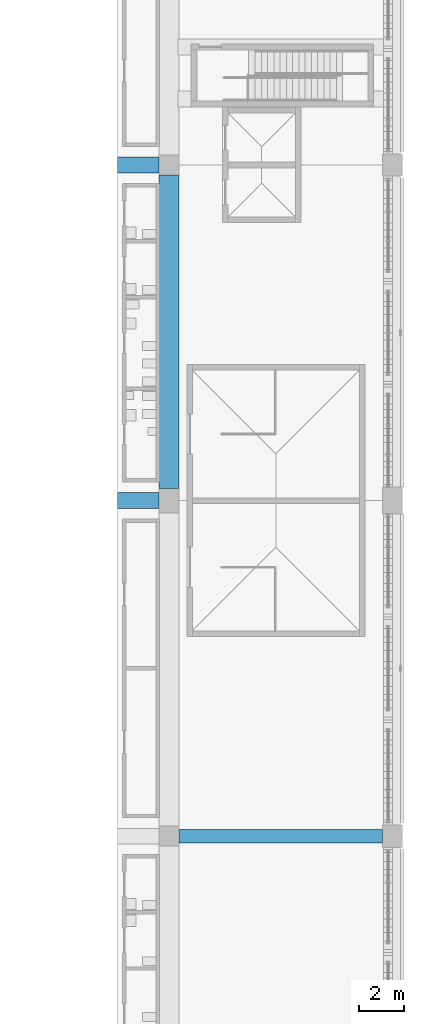
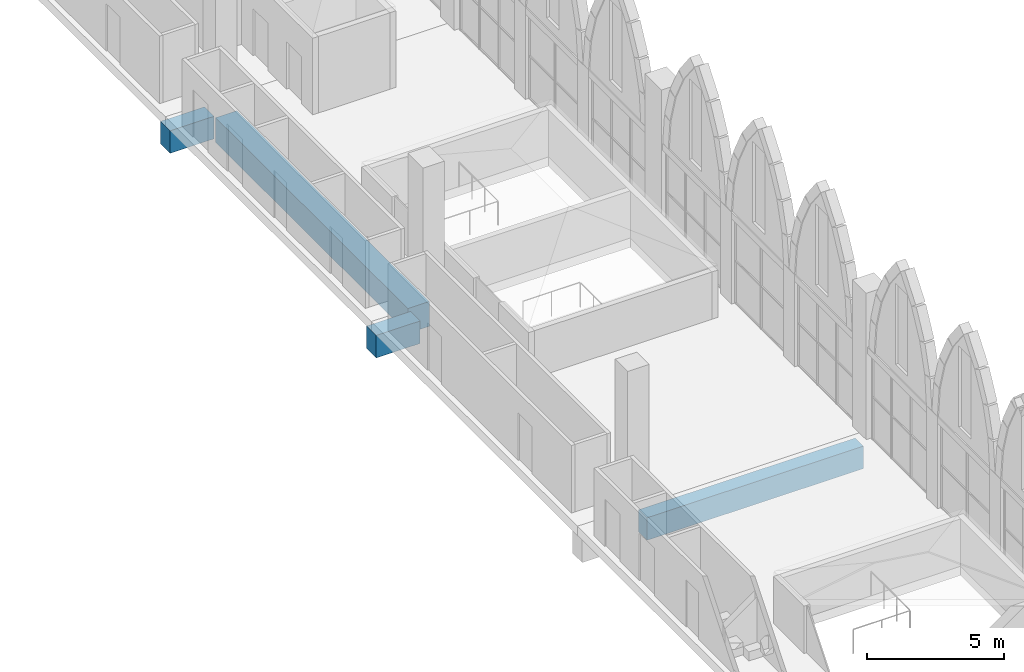
# One storey, part 23 of 130: 4 beams.
"""IFC4 building model written with IfcOpenShell, lengths in metres."""

import ifcopenshell
import ifcopenshell.guid

model = None  # the IFC model being written
_history = None  # IfcOwnerHistory: only IFC2X3 demands one
_inside = {}  # id of a spatial element -> (the spatial element, [elements in it])
_under = {}  # id of a project, library or spatial element -> (it, [spatial elements below it])
_declared = {}  # id of a project -> (the project, [libraries it declares])
_typed = {}  # id of a type object -> (the type object, [elements of that type])
_made_of = {}  # id of a material, layer set ... -> (it, [elements and type objects made of it])


def new_model(schema):
    """Start an empty IFC model of exactly this schema.

    Asked for "IFC4X3", IfcOpenShell would pick the latest addendum, in which some entities
    have other attributes; the version numbers below select the first issue.
    IFC2X3 requires an IfcOwnerHistory on every rooted entity: one is made here for all.
    """
    global model, _history
    if schema == "IFC4X3":
        model = ifcopenshell.file(schema_version=(4, 3, 0, 0))
    else:
        model = ifcopenshell.file(schema=schema)
    _inside.clear()
    _under.clear()
    _declared.clear()
    _typed.clear()
    _made_of.clear()
    _history = None
    if model.schema == "IFC2X3":
        org = make("IfcOrganization", Name="unknown")
        user = make(
            "IfcPersonAndOrganization",
            ThePerson=make("IfcPerson", FamilyName="unknown"),
            TheOrganization=org,
        )
        app = make(
            "IfcApplication",
            ApplicationDeveloper=org,
            Version="unknown",
            ApplicationFullName="unknown",
            ApplicationIdentifier="unknown",
        )
        _history = make(
            "IfcOwnerHistory",
            OwningUser=user,
            OwningApplication=app,
            ChangeAction="ADDED",
            CreationDate=0,
        )
    return model


def make(cls, **values):
    """One entity of the class cls with the attributes given. An attribute that is None is left unset."""
    return model.create_entity(
        cls, **{name: value for name, value in values.items() if value is not None}
    )


def rooted(cls, **values):
    """An entity with a GlobalId (a new one), such as an element, a storey or a relation."""
    return make(cls, GlobalId=ifcopenshell.guid.new(), OwnerHistory=_history, **values)


def si_unit(unit_type, name, prefix=None):
    """IfcSIUnit, for example si_unit("LENGTHUNIT", "METRE", prefix="MILLI")."""
    return make("IfcSIUnit", UnitType=unit_type, Prefix=prefix, Name=name)


def assignment(units):
    """IfcUnitAssignment: the units of a project."""
    return None if units is None else make("IfcUnitAssignment", Units=units)


def point(xyz):
    """IfcCartesianPoint."""
    return None if xyz is None else make("IfcCartesianPoint", Coordinates=xyz)


def direction(xyz):
    """IfcDirection."""
    return None if xyz is None else make("IfcDirection", DirectionRatios=xyz)


def frame(location, z_axis=None, x_axis=None):
    """IfcAxis2Placement3D, a coordinate frame: its origin and axes. An axis left out is left unset."""
    return make(
        "IfcAxis2Placement3D",
        Location=point(location),
        Axis=direction(z_axis),
        RefDirection=direction(x_axis),
    )


def frame_2d(location, x_axis=None):
    """IfcAxis2Placement2D, a coordinate frame in the plane: its origin and x axis."""
    return make(
        "IfcAxis2Placement2D", Location=point(location), RefDirection=direction(x_axis)
    )


def origin():
    """The frame at (0, 0, 0) with its axes left unset."""
    return frame((0.0, 0.0, 0.0))


def origin_2d():
    """The frame at (0, 0) in the plane with its x axis left unset."""
    return frame_2d((0.0, 0.0))


def place(relative_to, where):
    """IfcLocalPlacement: puts the frame where relative to a parent placement (None: the world)."""
    return make(
        "IfcLocalPlacement", PlacementRelTo=relative_to, RelativePlacement=where
    )


def context(
    kind, dimensions, precision=None, world=None, true_north=None, identifier=None
):
    """IfcGeometricRepresentationContext, for example the 3D "Model" context."""
    return make(
        "IfcGeometricRepresentationContext",
        ContextIdentifier=identifier,
        ContextType=kind,
        CoordinateSpaceDimension=dimensions,
        Precision=precision,
        WorldCoordinateSystem=world,
        TrueNorth=true_north,
    )


def subcontext(parent, identifier, kind, view, scale=None):
    """IfcGeometricRepresentationSubContext, for example "Body" below "Model"."""
    return make(
        "IfcGeometricRepresentationSubContext",
        ContextIdentifier=identifier,
        ContextType=kind,
        ParentContext=parent,
        TargetScale=scale,
        TargetView=view,
    )


def project(units=None, contexts=None):
    """IfcProject with its units and contexts."""
    return rooted(
        "IfcProject",
        Name="project",
        RepresentationContexts=contexts,
        UnitsInContext=assignment(units),
    )


def spatial(cls, under=None, at=None, **own):
    """A site, building, storey or space (cls), placed at a placement, below another one or the project."""
    s = rooted(cls, ObjectPlacement=at, **own)
    if under is not None:
        _under.setdefault(under.id(), (under, []))[1].append(s)
    return s


def profile(cls, at=None, kind="AREA", **sizes):
    """A parametric profile (cls). Its sizes go by their IFC names, for example OverallWidth=200.0."""
    return make(cls, ProfileType=kind, Position=at, **sizes)


def rectangle(**sizes):
    """IfcRectangleProfileDef."""
    return profile("IfcRectangleProfileDef", **sizes)


def extrude(swept, where, along, depth):
    """IfcExtrudedAreaSolid: the profile swept, set in the frame where, extruded along a direction by depth."""
    return make(
        "IfcExtrudedAreaSolid",
        SweptArea=swept,
        Position=where,
        ExtrudedDirection=direction(along),
        Depth=depth,
    )


def shape(context_of_items, identifier, shape_type, items):
    """IfcShapeRepresentation: the items that make up one representation, for example the "Body"."""
    return make(
        "IfcShapeRepresentation",
        ContextOfItems=context_of_items,
        RepresentationIdentifier=identifier,
        RepresentationType=shape_type,
        Items=items,
    )


def material(Name=None, Category=None):
    """IfcMaterial."""
    return make("IfcMaterial", Name=Name, Category=Category)


def material_profile(
    of_material, cross_section, Name=None, Category=None, Priority=None
):
    """IfcMaterialProfile: a cross section and its material."""
    return make(
        "IfcMaterialProfile",
        Name=Name,
        Material=of_material,
        Profile=cross_section,
        Priority=Priority,
        Category=Category,
    )


def profile_set(profiles, Name=None, composite=None):
    """IfcMaterialProfileSet."""
    return make(
        "IfcMaterialProfileSet",
        Name=Name,
        MaterialProfiles=profiles,
        CompositeProfile=composite,
    )


def made_of(thing, what):
    """Note that an element or type object is made of a material, layer set ...; save() writes the relation."""
    if what is not None:
        _made_of.setdefault(what.id(), (what, []))[1].append(thing)
    return thing


def type_object(cls, material=None, **own):
    """A type object (cls), such as IfcWallType, which elements share."""
    return made_of(rooted(cls, **own), material)


def element(
    cls,
    number,
    at=None,
    inside=None,
    cuts=None,
    type_object=None,
    material=None,
    context=None,
    identifier="Body",
    shape_type=None,
    held_by="IfcProductDefinitionShape",
    body=None,
    shapes=None,
    **own,
):
    """One element of the class cls, such as IfcWall. Its Tag is "e" and its number.

    at: its placement. inside: the storey or other place that contains it. cuts: it is an
    opening in that element (IfcRelVoidsElement). A single representation is given by context,
    identifier, shape_type and body (its items); several are given by shapes. held_by: the class
    of the entity that holds the representations. save() writes the other relations.
    """
    e = rooted(cls, Tag="e%d" % number, ObjectPlacement=at, **own)
    if body is not None:
        shapes = [shape(context, identifier, shape_type, body)]
    if shapes is not None:
        e.Representation = make(held_by, Representations=shapes)
    if inside is not None:
        _inside.setdefault(inside.id(), (inside, []))[1].append(e)
    if cuts is not None:
        rooted(
            "IfcRelVoidsElement", RelatingBuildingElement=cuts, RelatedOpeningElement=e
        )
    if type_object is not None:
        _typed.setdefault(type_object.id(), (type_object, []))[1].append(e)
    return made_of(e, material)


def aggregate(whole, parts):
    """IfcRelAggregates: a whole, such as a stair, and the parts it consists of."""
    return rooted("IfcRelAggregates", RelatingObject=whole, RelatedObjects=parts)


def save(model, path):
    """Write the relations noted so far, then the file.

    IfcRelAggregates (storeys below a building ...), IfcRelContainedInSpatialStructure (elements
    in a storey), IfcRelDefinesByType, IfcRelAssociatesMaterial and IfcRelDeclares: one each for
    every whole, place, type object, material and project.
    """
    for whole, parts in _under.values():
        aggregate(whole, parts)
    for where, things in _inside.values():
        rooted(
            "IfcRelContainedInSpatialStructure",
            RelatedElements=things,
            RelatingStructure=where,
        )
    for kind, things in _typed.values():
        rooted("IfcRelDefinesByType", RelatedObjects=things, RelatingType=kind)
    for what, things in _made_of.values():
        rooted("IfcRelAssociatesMaterial", RelatedObjects=things, RelatingMaterial=what)
    for by, libraries in _declared.values():
        rooted("IfcRelDeclares", RelatingContext=by, RelatedDefinitions=libraries)
    model.write(path)


model = new_model("IFC4")

# Units and contexts
model_context = context("Model", 3, precision=1e-05, world=origin(), true_north=direction((0.0, 1.0)))
body_context = subcontext(model_context, "Body", "Model", "MODEL_VIEW")
ifc_project = project(units=[si_unit("LENGTHUNIT", "METRE"), si_unit("AREAUNIT", "SQUARE_METRE"), si_unit("VOLUMEUNIT", "CUBIC_METRE"), si_unit("PLANEANGLEUNIT", "RADIAN"), si_unit("MASSUNIT", "GRAM", prefix="KILO")], contexts=[model_context])

# Site, building, storey
site_placement = place(None, origin())
site = spatial("IfcSite", under=ifc_project, at=site_placement, CompositionType="ELEMENT")
building_placement = place(site_placement, origin())
building = spatial("IfcBuilding", under=site, at=building_placement, Name="Ogive Plaza Stadium", CompositionType="ELEMENT")
storey_placement = place(building_placement, frame((0.0, 0.0, 22.5)))
storey = spatial("IfcBuildingStorey", under=building, at=storey_placement, Name="L05", CompositionType="ELEMENT", Elevation=22.5)

# Beams
ifc_material_1 = material(Name="Concrete C40/50", Category="concrete")
ifc_material_profile_1 = material_profile(ifc_material_1, rectangle(XDim=0.60009765625, YDim=1.0, at=origin_2d()), Name="RC 600x1000")
ifc_profile_set_1 = profile_set([ifc_material_profile_1], Name="Concrete C40/50")
beam_type_1 = type_object("IfcBeamType", Name="RC radial beam 600x1000", PredefinedType="BEAM", material=ifc_profile_set_1)
beam_1_placement = place(storey_placement, frame((74.449951171875, -37.5, -0.909912109375), z_axis=(1.0, 0.0, 0.0), x_axis=(0.0, 1.0, 0.0)))
element("IfcBeam", 1, at=beam_1_placement, inside=storey, type_object=beam_type_1, Name="Radial beam L05 R07 F4F5", PredefinedType="BEAM", context=body_context, shape_type="SweptSolid", body=[
    extrude(rectangle(XDim=0.60009765625, YDim=1.0, at=origin_2d()), origin(), (0.0, 0.0, 1.0), 9.10009765625),
])
ifc_material_2 = material(Name="Concrete C40/50", Category="concrete")
ifc_material_profile_2 = material_profile(ifc_material_2, rectangle(XDim=0.699951171875, YDim=1.0, at=origin_2d()), Name="RC 700x1000")
ifc_profile_set_2 = profile_set([ifc_material_profile_2], Name="Concrete C40/50")
beam_type_2 = type_object("IfcBeamType", Name="RC radial beam 700x1000", PredefinedType="BEAM", material=ifc_profile_set_2)
for number, where, z_axis, x_axis, name in (
    (2, (71.699951171875, -7.5, -0.909912109375), (1.0, 0.0, 0.0), (0.0, 1.0, 0.0), "Raker tail beam UT R05"),
    (3, (71.699951171875, -22.5, -0.909912109375), (1.0, 0.0, 0.0), (0.0, 1.0, 0.0), "Raker tail beam UT R06"),
):
    element("IfcBeam", number, at=place(storey_placement, frame(where, z_axis=z_axis, x_axis=x_axis)), inside=storey, type_object=beam_type_2, Name=name, PredefinedType="BEAM", context=body_context, shape_type="SweptSolid", body=[
        extrude(rectangle(XDim=0.699951171875, YDim=1.0, at=origin_2d()), origin(), (0.0, 0.0, 1.0), 1.85009765625),
    ])
ifc_material_3 = material(Name="Concrete C40/50", Category="concrete")
ifc_material_profile_3 = material_profile(ifc_material_3, rectangle(XDim=0.89990234375, YDim=1.10009765625, at=origin_2d()), Name="RC 900x1100")
ifc_profile_set_3 = profile_set([ifc_material_profile_3], Name="Concrete C40/50")
beam_type_3 = type_object("IfcBeamType", Name="RC ring beam 900x1100", PredefinedType="BEAM", material=ifc_profile_set_3)
beam_2_placement = place(storey_placement, frame((74.0, -7.949951171875, -0.9599609375), z_axis=(0.0, -1.0, 0.0), x_axis=(1.0, 0.0, 0.0)))
element("IfcBeam", 4, at=beam_2_placement, inside=storey, type_object=beam_type_3, Name="Ring beam F4 L05 B05", PredefinedType="BEAM", context=body_context, shape_type="SweptSolid", body=[
    extrude(rectangle(XDim=0.89990234375, YDim=1.10009765625, at=origin_2d()), origin(), (0.0, 0.0, 1.0), 14.0),
])

save(model, "model.ifc")
